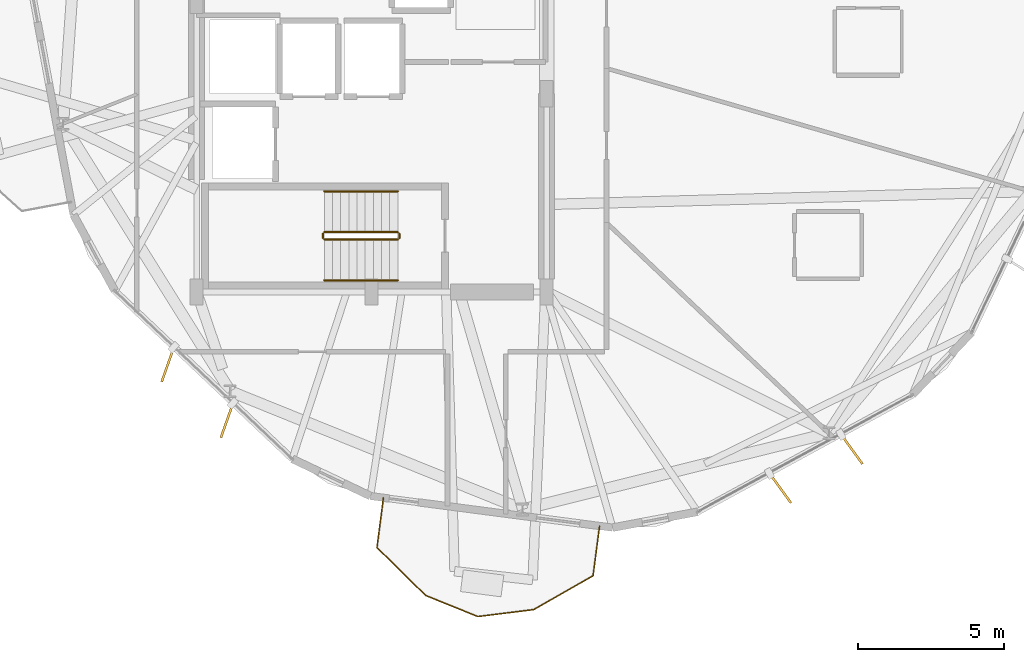
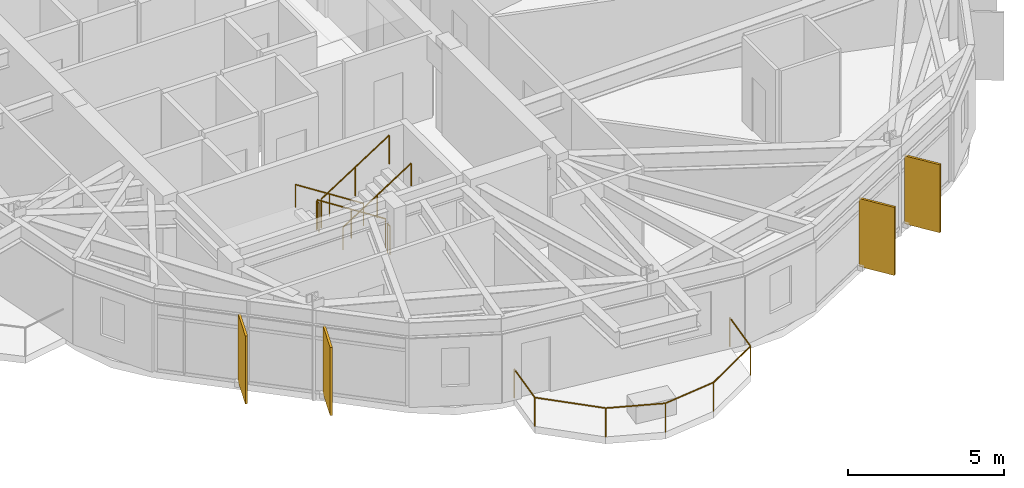
# One storey, part 21 of 23: 7 railings, 4 shading devices.
"""IFC4 building model written with IfcOpenShell, lengths in metres."""

from ifc_helpers import new_model, si_unit, direction, frame, origin, origin_2d, place, context, subcontext, project, spatial, rectangle, circle, extrude, material, layer, layer_set, type_object, element, save


model = new_model("IFC4")

# Units and contexts
model_context = context("Model", 3, precision=1e-05, world=origin(), true_north=direction((0.0, 1.0)))
body_context = subcontext(model_context, "Body", "Model", "MODEL_VIEW")
ifc_project = project(units=[si_unit("LENGTHUNIT", "METRE"), si_unit("AREAUNIT", "SQUARE_METRE"), si_unit("VOLUMEUNIT", "CUBIC_METRE"), si_unit("PLANEANGLEUNIT", "RADIAN"), si_unit("MASSUNIT", "GRAM", prefix="KILO")], contexts=[model_context])

# Site, building, storey
site_placement = place(None, origin())
site = spatial("IfcSite", under=ifc_project, at=site_placement, CompositionType="ELEMENT")
building_placement = place(site_placement, origin())
building = spatial("IfcBuilding", under=site, at=building_placement, Name="Soratama Intermodal Tower", CompositionType="ELEMENT")
storey_placement = place(building_placement, frame((0.0, 0.0, 139.0)))
storey = spatial("IfcBuildingStorey", under=building, at=storey_placement, Name="L33", CompositionType="ELEMENT", Elevation=139.0)

# Railings
ifc_material_1 = material(Name="Laminated glass and stainless steel balustrade", Category="steel")
railing_type_1 = type_object("IfcRailingType", Name="RL-BAL-1150", PredefinedType="BALUSTRADE", material=ifc_material_1)
railing_1_placement = place(storey_placement, frame((46.416015625, 6.975341796875, 0.0)))
element("IfcRailing", 1, at=railing_1_placement, inside=storey, type_object=railing_type_1, Name="L33 Balcony Balustrade 4", PredefinedType="BALUSTRADE", context=body_context, shape_type="SweptSolid", body=[
    extrude(circle(Radius=0.02392578125, at=origin_2d()), frame((0.0, 0.0, 1.1259765625), z_axis=(-0.129448407752, -0.991586158501, 0.0), x_axis=(0.991586158501, -0.129448407752, 0.0)), (0.0, 0.0, 1.0), 1.719970703125),
    extrude(circle(Radius=0.02392578125, at=origin_2d()), frame((-0.22265625, -1.70556640625, 1.1259765625), z_axis=(-0.86868496586, -0.495364946367, 0.0), x_axis=(0.495364946367, -0.86868496586, 0.0)), (0.0, 0.0, 1.0), 2.344482421875),
    extrude(circle(Radius=0.02392578125, at=origin_2d()), frame((-2.25927734375, -2.866943359375, 1.1259765625), z_axis=(-0.992340001571, -0.123536720379, 0.0), x_axis=(0.123536720379, -0.992340001571, 0.0)), (0.0, 0.0, 1.0), 1.930908203125),
    extrude(circle(Radius=0.02392578125, at=origin_2d()), frame((-4.17529296875, -3.10546875, 1.1259765625), z_axis=(-0.927321178862, 0.374266524329, 0.0), x_axis=(-0.374266524329, -0.927321178862, 0.0)), (0.0, 0.0, 1.0), 1.930908203125),
    extrude(circle(Radius=0.02392578125, at=origin_2d()), frame((-5.9658203125, -2.3828125, 1.1259765625), z_axis=(-0.712397797538, 0.701775874523, 0.0), x_axis=(-0.701775874523, -0.712397797538, 0.0)), (0.0, 0.0, 1.0), 2.344482421875),
    extrude(circle(Radius=0.02392578125, at=origin_2d()), frame((-7.635986328125, -0.737548828125, 1.1259765625), z_axis=(0.129448407752, 0.991586158501, 0.0), x_axis=(-0.991586158501, 0.129448407752, 0.0)), (0.0, 0.0, 1.0), 1.719970703125),
    extrude(circle(Radius=0.02099609375, at=origin_2d()), origin(), (0.0, 0.0, 1.0), 1.101806640625),
    extrude(circle(Radius=0.02099609375, at=origin_2d()), frame((-0.22265625, -1.70556640625, 0.0)), (0.0, 0.0, 1.0), 1.101806640625),
    extrude(circle(Radius=0.02099609375, at=origin_2d()), frame((-2.25927734375, -2.866943359375, 0.0)), (0.0, 0.0, 1.0), 1.101806640625),
    extrude(circle(Radius=0.02099609375, at=origin_2d()), frame((-4.17529296875, -3.10546875, 0.0)), (0.0, 0.0, 1.0), 1.101806640625),
    extrude(circle(Radius=0.02099609375, at=origin_2d()), frame((-5.9658203125, -2.3828125, 0.0)), (0.0, 0.0, 1.0), 1.101806640625),
    extrude(circle(Radius=0.02099609375, at=origin_2d()), frame((-7.635986328125, -0.737548828125, 0.0)), (0.0, 0.0, 1.0), 1.101806640625),
    extrude(circle(Radius=0.02099609375, at=origin_2d()), frame((-7.413330078125, 0.968017578125, 0.0)), (0.0, 0.0, 1.0), 1.101806640625),
])
ifc_material_2 = material(Name="Painted steel stair guardrail", Category="steel")
railing_type_2 = type_object("IfcRailingType", Name="RL-STAIR-GUARD", PredefinedType="GUARDRAIL", material=ifc_material_2)
railing_2_placement = place(storey_placement, frame((39.5, 17.050048828125, 0.179931640625)))
element("IfcRailing", 2, at=railing_2_placement, inside=storey, type_object=railing_type_2, Name="L33 ST-1 stair guard 1", PredefinedType="GUARDRAIL", context=body_context, shape_type="SweptSolid", body=[
    extrude(circle(Radius=0.02392578125, at=origin_2d()), frame((0.0, 0.0, 1.1259765625), z_axis=(-0.841162588446, 0.0, 0.540782303519), x_axis=(0.0, -1.0, 0.0)), (0.0, 0.0, 1.0), 2.995849609375),
    extrude(circle(Radius=0.02099609375, at=origin_2d()), origin(), (0.0, 0.0, 1.0), 1.101806640625),
    extrude(circle(Radius=0.02099609375, at=origin_2d()), frame((-1.260009765625, 0.0, 0.81005859375)), (0.0, 0.0, 1.0), 1.101806640625),
    extrude(circle(Radius=0.02099609375, at=origin_2d()), frame((-2.52001953125, 0.0, 1.6201171875)), (0.0, 0.0, 1.0), 1.101806640625),
])
railing_3_placement = place(storey_placement, frame((36.929931640625, 17.0, 1.800048828125)))
element("IfcRailing", 3, at=railing_3_placement, inside=storey, type_object=railing_type_2, Name="L33 ST-1 stair guard 2", PredefinedType="GUARDRAIL", context=body_context, shape_type="SweptSolid", body=[
    extrude(circle(Radius=0.02392578125, at=origin_2d()), frame((0.0, 0.0, 1.1259765625), z_axis=(0.0, -1.0, 0.0), x_axis=(1.0, 0.0, 0.0)), (0.0, 0.0, 1.0), 0.14990234375),
    extrude(circle(Radius=0.02099609375, at=origin_2d()), origin(), (0.0, 0.0, 1.0), 1.101806640625),
    extrude(circle(Radius=0.02099609375, at=origin_2d()), frame((0.0, -0.14990234375, 0.0)), (0.0, 0.0, 1.0), 1.101806640625),
])
railing_4_placement = place(storey_placement, frame((36.97998046875, 16.800048828125, 1.97998046875)))
element("IfcRailing", 4, at=railing_4_placement, inside=storey, type_object=railing_type_2, Name="L33 ST-1 stair guard 3", PredefinedType="GUARDRAIL", context=body_context, shape_type="SweptSolid", body=[
    extrude(circle(Radius=0.02392578125, at=origin_2d()), frame((0.0, 0.0, 1.1259765625), z_axis=(0.841162588446, 0.0, 0.540782303519), x_axis=(0.0, 1.0, 0.0)), (0.0, 0.0, 1.0), 2.995849609375),
    extrude(circle(Radius=0.02099609375, at=origin_2d()), origin(), (0.0, 0.0, 1.0), 1.101806640625),
    extrude(circle(Radius=0.02099609375, at=origin_2d()), frame((1.260009765625, 0.0, 0.81005859375)), (0.0, 0.0, 1.0), 1.101806640625),
    extrude(circle(Radius=0.02099609375, at=origin_2d()), frame((2.52001953125, 0.0, 1.6201171875)), (0.0, 0.0, 1.0), 1.101806640625),
])
railing_5_placement = place(storey_placement, frame((39.550048828125, 17.0, 0.0)))
element("IfcRailing", 5, at=railing_5_placement, inside=storey, type_object=railing_type_2, Name="L33 ST-1 stair guard 4", PredefinedType="GUARDRAIL", context=body_context, shape_type="SweptSolid", body=[
    extrude(circle(Radius=0.02392578125, at=origin_2d()), frame((0.0, 0.0, 1.1259765625), z_axis=(0.0, -1.0, 0.0), x_axis=(1.0, 0.0, 0.0)), (0.0, 0.0, 1.0), 0.14990234375),
    extrude(circle(Radius=0.02099609375, at=origin_2d()), origin(), (0.0, 0.0, 1.0), 1.101806640625),
    extrude(circle(Radius=0.02099609375, at=origin_2d()), frame((0.0, -0.14990234375, 0.0)), (0.0, 0.0, 1.0), 1.101806640625),
])
ifc_material_3 = material(Name="Brushed stainless steel handrail", Category="steel")
railing_type_3 = type_object("IfcRailingType", Name="RL-STAIR-HAND", PredefinedType="HANDRAIL", material=ifc_material_3)
railing_6_placement = place(storey_placement, frame((39.5, 18.449951171875, 0.179931640625)))
element("IfcRailing", 6, at=railing_6_placement, inside=storey, type_object=railing_type_3, Name="L33 ST-1 stair handrail 1", PredefinedType="HANDRAIL", context=body_context, shape_type="SweptSolid", body=[
    extrude(circle(Radius=0.02392578125, at=origin_2d()), frame((0.0, 0.0, 0.8759765625), z_axis=(-0.841162588446, 0.0, 0.540782303519), x_axis=(0.0, -1.0, 0.0)), (0.0, 0.0, 1.0), 2.995849609375),
    extrude(circle(Radius=0.02099609375, at=origin_2d()), origin(), (0.0, 0.0, 1.0), 0.851806640625),
    extrude(circle(Radius=0.02099609375, at=origin_2d()), frame((-1.260009765625, 0.0, 0.81005859375)), (0.0, 0.0, 1.0), 0.851806640625),
    extrude(circle(Radius=0.02099609375, at=origin_2d()), frame((-2.52001953125, 0.0, 1.6201171875)), (0.0, 0.0, 1.0), 0.851806640625),
])
railing_7_placement = place(storey_placement, frame((36.97998046875, 15.39990234375, 1.97998046875)))
element("IfcRailing", 7, at=railing_7_placement, inside=storey, type_object=railing_type_3, Name="L33 ST-1 stair handrail 2", PredefinedType="HANDRAIL", context=body_context, shape_type="SweptSolid", body=[
    extrude(circle(Radius=0.02392578125, at=origin_2d()), frame((0.0, 0.0, 0.8759765625), z_axis=(0.841162588446, 0.0, 0.540782303519), x_axis=(0.0, 1.0, 0.0)), (0.0, 0.0, 1.0), 2.995849609375),
    extrude(circle(Radius=0.02099609375, at=origin_2d()), origin(), (0.0, 0.0, 1.0), 0.851806640625),
    extrude(circle(Radius=0.02099609375, at=origin_2d()), frame((1.260009765625, 0.0, 0.81005859375)), (0.0, 0.0, 1.0), 0.851806640625),
    extrude(circle(Radius=0.02099609375, at=origin_2d()), frame((2.52001953125, 0.0, 1.6201171875)), (0.0, 0.0, 1.0), 0.851806640625),
])

# Shading devices
ifc_material_4 = material(Name="Champagne anodised aluminium solar fin", Category="aluminium")
ifc_layer = layer(ifc_material_4, 0.080078125)
ifc_layer_set = layer_set([ifc_layer], Name="Champagne anodised aluminium solar fin")
shading_device_type = type_object("IfcShadingDeviceType", Name="SH-FIN-1250", PredefinedType="USERDEFINED", material=ifc_layer_set)
for number, where, z_axis, x_axis, name in (
    (8, (31.6083984375, 12.50732421875, 0.02001953125), (0.0, 0.0, 1.0), (-0.332819544523, -0.942990535893, 0.0), "L33 Solar Fin F06-1"),
    (9, (33.6357421875, 10.58740234375, 0.02001953125), (0.0, 0.0, 1.0), (-0.332819544523, -0.942990535893, 0.0), "L33 Solar Fin F06-2"),
    (10, (52.60986328125, 8.2734375, 0.02001953125), (0.0, 0.0, 1.0), (0.587502816283, -0.809222120842, 0.0), "L33 Solar Fin F08-1"),
    (11, (55.06201171875, 9.6083984375, 0.02001953125), (0.0, 0.0, 1.0), (0.587502816283, -0.809222120842, 0.0), "L33 Solar Fin F08-2"),
):
    element("IfcShadingDevice", number, at=place(storey_placement, frame(where, z_axis=z_axis, x_axis=x_axis)), inside=storey, type_object=shading_device_type, Name=name, ObjectType="FIN", PredefinedType="USERDEFINED", context=body_context, shape_type="SweptSolid", body=[
        extrude(rectangle(XDim=1.25, YDim=0.080078125, at=origin_2d()), origin(), (0.0, 0.0, 1.0), 2.658935546875),
    ])

save(model, "model.ifc")
